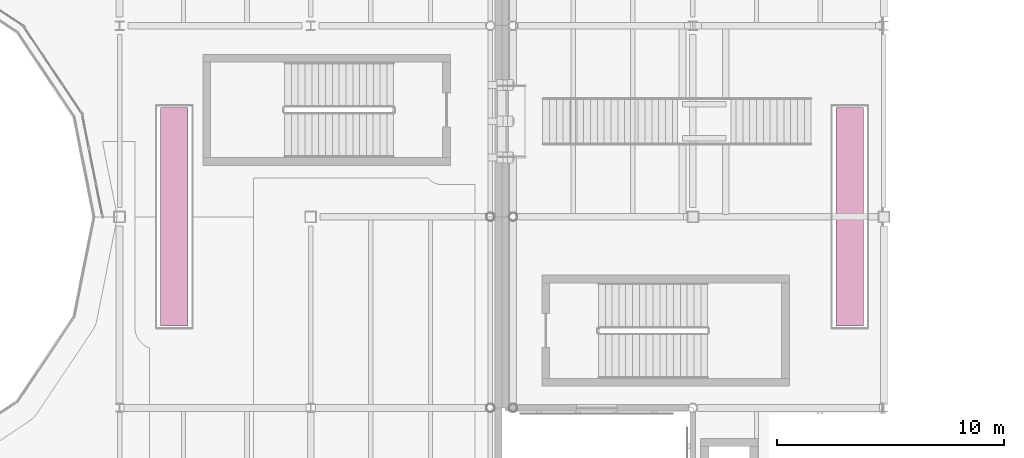
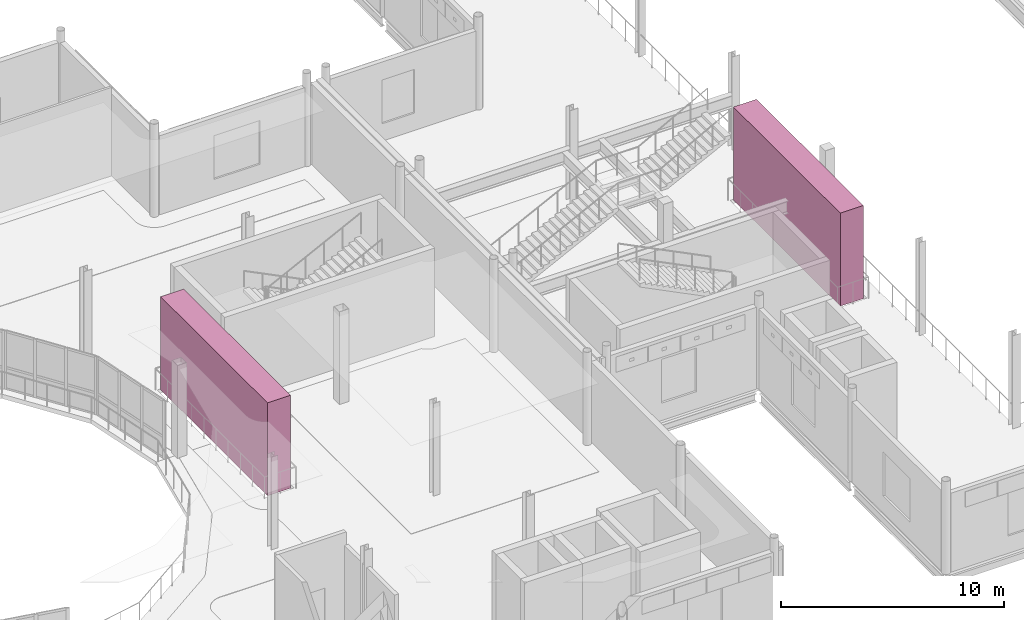
# One storey, part 104 of 104: 2 transport elements.
"""IFC4 building model written with IfcOpenShell, lengths in metres."""

from ifc_helpers import new_model, si_unit, direction, frame, origin, origin_2d, place, context, subcontext, project, spatial, rectangle, extrude, material, type_object, element, save


model = new_model("IFC4")

# Units and contexts
model_context = context("Model", 3, precision=1e-05, world=origin(), true_north=direction((0.0, 1.0)))
body_context = subcontext(model_context, "Body", "Model", "MODEL_VIEW")
ifc_project = project(units=[si_unit("LENGTHUNIT", "METRE"), si_unit("AREAUNIT", "SQUARE_METRE"), si_unit("VOLUMEUNIT", "CUBIC_METRE"), si_unit("PLANEANGLEUNIT", "RADIAN"), si_unit("MASSUNIT", "GRAM", prefix="KILO"), si_unit("THERMODYNAMICTEMPERATUREUNIT", "KELVIN")], contexts=[model_context])

# Site, building, storey
site_placement = place(None, origin())
site = spatial("IfcSite", under=ifc_project, at=site_placement, CompositionType="ELEMENT")
building_placement = place(site_placement, origin())
building = spatial("IfcBuilding", under=site, at=building_placement, Name="Lustrewick Department Store", CompositionType="ELEMENT")
storey_placement = place(building_placement, frame((0.0, 0.0, 11.39990234375)))
storey = spatial("IfcBuildingStorey", under=building, at=storey_placement, Name="L03", CompositionType="ELEMENT", Elevation=11.39990234375)

# Transport elements
ifc_material = material(Name="Brushed stainless steel and safety glass escalator", Category="steel")
transport_element_type = type_object("IfcTransportElementType", Name="ESC-30", PredefinedType="ESCALATOR", material=ifc_material)
for number, where, z_axis, x_axis, name in (
    (1, (44.39990234375, 67.199951171875, 0.0), (0.0, 0.0, 1.0), (1.0, 0.0, 0.0), "L03 Reversible Escalator ESC-03"),
    (2, (74.10009765625, 67.199951171875, 0.0), (0.0, 0.0, 1.0), (1.0, 0.0, 0.0), "L03 Reversible Escalator ESC-09"),
):
    element("IfcTransportElement", number, at=place(storey_placement, frame(where, z_axis=z_axis, x_axis=x_axis)), inside=storey, type_object=transport_element_type, Name=name, PredefinedType="ESCALATOR", context=body_context, shape_type="SweptSolid", body=[
        extrude(rectangle(XDim=1.199951171875, YDim=9.60009765625, at=origin_2d()), origin(), (0.0, 0.0, 1.0), 5.10009765625),
    ])

save(model, "model.ifc")
